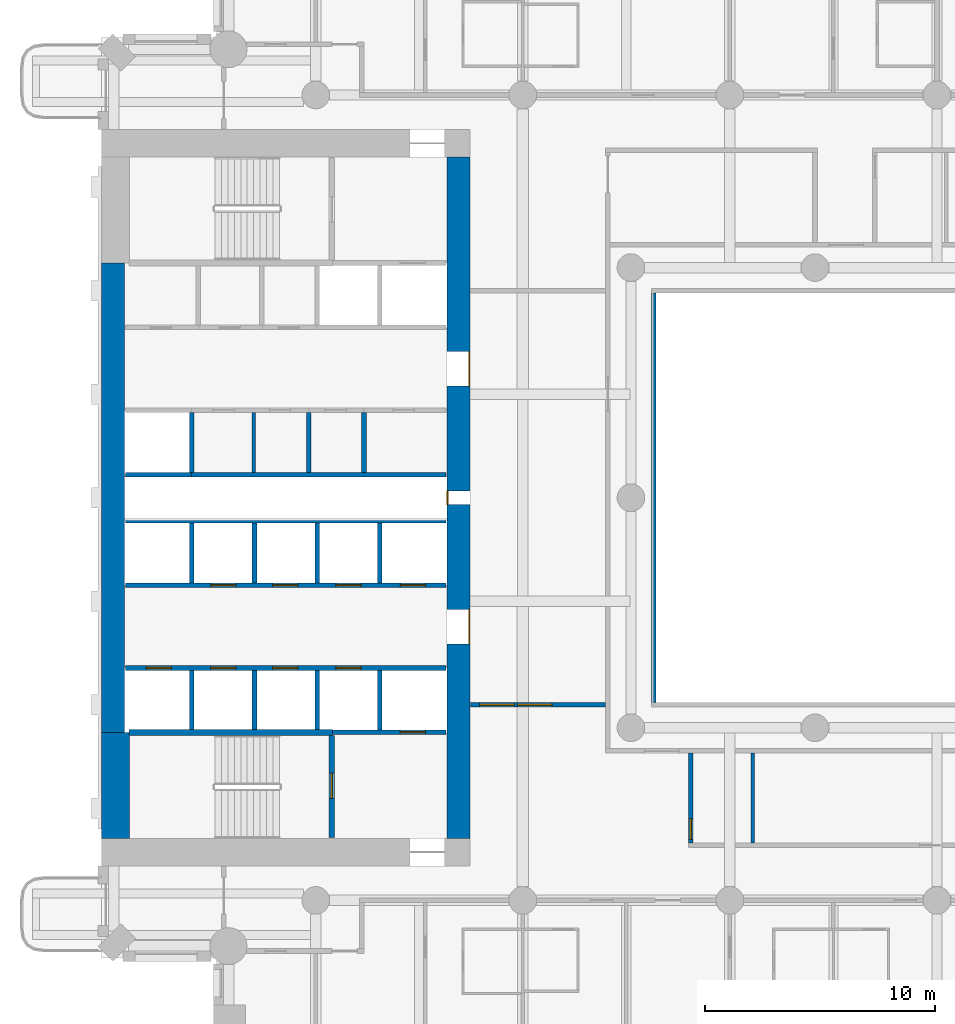
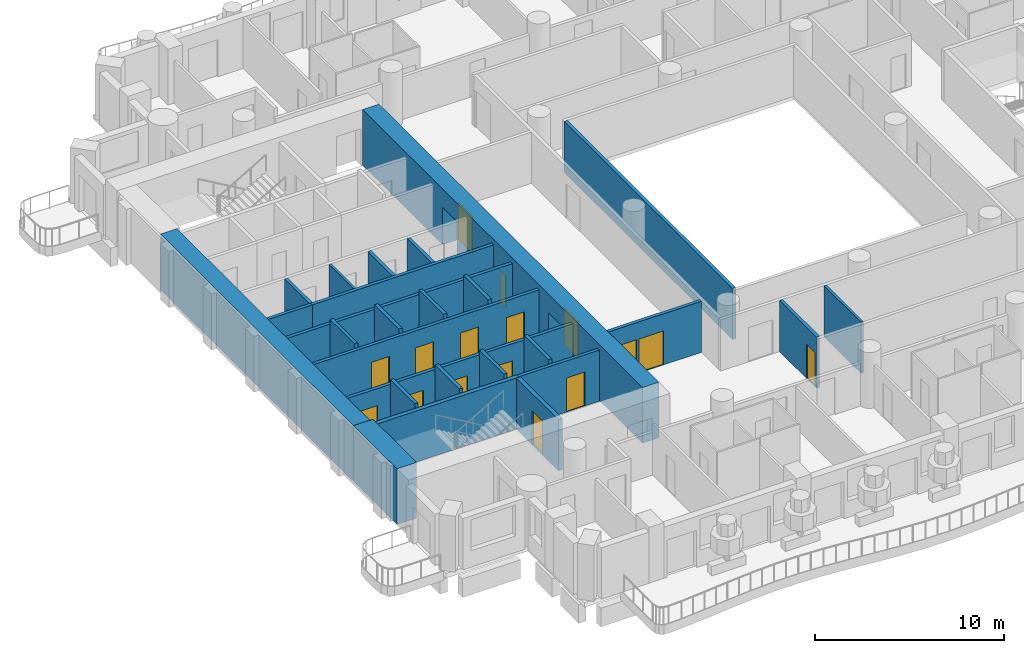
# One storey, part 4 of 20: 27 walls, 16 doors, 16 openings.
"""IFC4 building model written with IfcOpenShell, lengths in metres."""

from ifc_helpers import new_model, si_unit, direction, frame, frame_2d, origin, place, context, subcontext, project, spatial, rectangle, extrude, material, layer, layer_set, type_object, element, fill, save


model = new_model("IFC4")

# Units and contexts
model_context = context("Model", 3, precision=1e-05, world=origin(), true_north=direction((0.0, 1.0)))
body_context = subcontext(model_context, "Body", "Model", "MODEL_VIEW")
ifc_project = project(units=[si_unit("LENGTHUNIT", "METRE"), si_unit("AREAUNIT", "SQUARE_METRE"), si_unit("VOLUMEUNIT", "CUBIC_METRE"), si_unit("PLANEANGLEUNIT", "RADIAN"), si_unit("MASSUNIT", "GRAM", prefix="KILO")], contexts=[model_context])

# Site, building, storey
site_placement = place(None, origin())
site = spatial("IfcSite", under=ifc_project, at=site_placement, CompositionType="ELEMENT")
building_placement = place(site_placement, origin())
building = spatial("IfcBuilding", under=site, at=building_placement, Name="Cypress Arch Tower", CompositionType="ELEMENT")
storey_placement = place(building_placement, frame((0.0, 0.0, 77.10009765625)))
storey = spatial("IfcBuildingStorey", under=building, at=storey_placement, Name="L13", CompositionType="ELEMENT", Elevation=77.10009765625)

# Wall, openings, doors
ifc_material_1 = material(Name="Concrete C80/95", Category="concrete")
ifc_layer_1 = layer(ifc_material_1, 1.0)
ifc_layer_set_1 = layer_set([ifc_layer_1], Name="Core wall CW1000 C80/95")
wall_type_1 = type_object("IfcWallType", Name="Core wall CW1000 C80/95", PredefinedType="SHEAR", material=ifc_layer_set_1)
wall_1_placement = place(storey_placement, frame((-14.5, -14.800048828125, 0.0), z_axis=(0.0, 0.0, 1.0), x_axis=(0.0, 1.0, 0.0)))
wall_1 = element("IfcWall", 1, at=wall_1_placement, inside=storey, type_object=wall_type_1, Name="Core wall", PredefinedType="SHEAR", context=body_context, shape_type="SweptSolid", body=[
    extrude(rectangle(XDim=29.60009765625, YDim=1.0, at=frame_2d((14.800048828125, 0.0))), origin(), (0.0, 0.0, 1.0), 3.599853515625),
])
opening_1_placement = place(wall_1_placement, frame((8.449951171875, 0.0, 0.0)))
opening_1 = element("IfcOpeningElement", 2, at=opening_1_placement, cuts=wall_1, Name="Opening D07", PredefinedType="OPENING", context=body_context, shape_type="SweptSolid", body=[
    extrude(rectangle(XDim=1.5, YDim=2.39990234375, at=frame_2d((0.75, 1.199951171875))), frame((0.0, 0.510009765625, 0.0), z_axis=(0.0, -1.0, 0.0), x_axis=(1.0, 0.0, 0.0)), (0.0, 0.0, 1.0), 1.02001953125),
])
opening_2_placement = place(wall_1_placement, frame((19.64990234375, 0.0, 0.0)))
opening_2 = element("IfcOpeningElement", 3, at=opening_2_placement, cuts=wall_1, Name="Opening D07", PredefinedType="OPENING", context=body_context, shape_type="SweptSolid", body=[
    extrude(rectangle(XDim=1.5, YDim=2.39990234375, at=frame_2d((0.75, 1.199951171875))), frame((0.0, 0.510009765625, 0.0), z_axis=(0.0, -1.0, 0.0), x_axis=(1.0, 0.0, 0.0)), (0.0, 0.0, 1.0), 1.02001953125),
])
opening_3_placement = place(wall_1_placement, frame((14.5, 0.0, 0.0)))
opening_3 = element("IfcOpeningElement", 4, at=opening_3_placement, cuts=wall_1, Name="Opening D08", PredefinedType="OPENING", context=body_context, shape_type="SweptSolid", body=[
    extrude(rectangle(XDim=0.60009765625, YDim=2.0, at=frame_2d((0.300048828125, 1.0))), frame((0.0, 0.510009765625, 0.0), z_axis=(0.0, -1.0, 0.0), x_axis=(1.0, 0.0, 0.0)), (0.0, 0.0, 1.0), 1.02001953125),
])
ifc_material_2 = material(Name="Steel framed glazed door, fire resisting", Category="steel")
door_type_1 = type_object("IfcDoorType", Name="Lobby door D07 1500x2400", OperationType="DOUBLE_DOOR_SINGLE_SWING", PredefinedType="DOOR", material=ifc_material_2)
door_1_placement = place(opening_1_placement, origin())
door_1 = element("IfcDoor", 5, at=door_1_placement, inside=storey, type_object=door_type_1, Name="Lobby door", OperationType="DOUBLE_DOOR_SINGLE_SWING", OverallHeight=2.39990234375, OverallWidth=1.5, PredefinedType="DOOR", context=body_context, shape_type="SweptSolid", body=[
    extrude(rectangle(XDim=1.5, YDim=2.39990234375, at=frame_2d((0.75, 1.199951171875))), frame((0.0, -0.44482421875, 0.0), z_axis=(0.0, -1.0, 0.0), x_axis=(1.0, 0.0, 0.0)), (0.0, 0.0, 1.0), 0.050048828125),
])
fill(opening_1, door_1)
door_2_placement = place(opening_2_placement, origin())
door_2 = element("IfcDoor", 6, at=door_2_placement, inside=storey, type_object=door_type_1, Name="Lobby door", OperationType="DOUBLE_DOOR_SINGLE_SWING", OverallHeight=2.39990234375, OverallWidth=1.5, PredefinedType="DOOR", context=body_context, shape_type="SweptSolid", body=[
    extrude(rectangle(XDim=1.5, YDim=2.39990234375, at=frame_2d((0.75, 1.199951171875))), frame((0.0, -0.44482421875, 0.0), z_axis=(0.0, -1.0, 0.0), x_axis=(1.0, 0.0, 0.0)), (0.0, 0.0, 1.0), 0.050048828125),
])
fill(opening_2, door_2)
ifc_material_3 = material(Name="Steel access door, fire resisting", Category="steel")
door_type_2 = type_object("IfcDoorType", Name="Riser access door D08 600x2000", OperationType="SINGLE_SWING_LEFT", PredefinedType="DOOR", material=ifc_material_3)
door_3_placement = place(opening_3_placement, origin())
door_3 = element("IfcDoor", 7, at=door_3_placement, inside=storey, type_object=door_type_2, Name="Riser access door", OperationType="SINGLE_SWING_RIGHT", OverallHeight=2.0, OverallWidth=0.60009765625, PredefinedType="DOOR", context=body_context, shape_type="SweptSolid", body=[
    extrude(rectangle(XDim=0.60009765625, YDim=2.0, at=frame_2d((0.300048828125, 1.0))), frame((0.0, 0.4951171875, 0.0), z_axis=(0.0, -1.0, 0.0), x_axis=(1.0, 0.0, 0.0)), (0.0, 0.0, 1.0), 0.050048828125),
])
fill(opening_3, door_3)

# Walls
wall_2_placement = place(storey_placement, frame((-29.5, -10.199951171875, 0.0), z_axis=(0.0, 0.0, 1.0), x_axis=(0.0, 1.0, 0.0)))
element("IfcWall", 8, at=wall_2_placement, inside=storey, type_object=wall_type_1, Name="Core wall", PredefinedType="SHEAR", context=body_context, shape_type="SweptSolid", body=[
    extrude(rectangle(XDim=20.39990234375, YDim=1.0, at=frame_2d((10.199951171875, 0.0))), origin(), (0.0, 0.0, 1.0), 3.599853515625),
])
ifc_material_4 = material(Name="Concrete C80/95", Category="concrete")
ifc_layer_2 = layer(ifc_material_4, 1.199951171875)
ifc_layer_set_2 = layer_set([ifc_layer_2], Name="Core wall CW1200 C80/95")
wall_type_2 = type_object("IfcWallType", Name="Core wall CW1200 C80/95", PredefinedType="SHEAR", material=ifc_layer_set_2)
wall_3_placement = place(storey_placement, frame((-29.39990234375, -14.800048828125, 0.0), z_axis=(0.0, 0.0, 1.0), x_axis=(0.0, 1.0, 0.0)))
element("IfcWall", 9, at=wall_3_placement, inside=storey, type_object=wall_type_2, Name="Core wall", PredefinedType="SHEAR", context=body_context, shape_type="SweptSolid", body=[
    extrude(rectangle(XDim=4.60009765625, YDim=1.199951171875, at=frame_2d((2.300048828125, 0.0))), origin(), (0.0, 0.0, 1.0), 3.599853515625),
])

# Wall, openings, doors
ifc_material_5 = material(Name="Concrete blockwork, plastered, rated", Category="masonry")
ifc_layer_3 = layer(ifc_material_5, 0.199951171875)
ifc_layer_set_3 = layer_set([ifc_layer_3], Name="Corridor wall FW200")
wall_type_3 = type_object("IfcWallType", Name="Corridor wall FW200", PredefinedType="PARTITIONING", material=ifc_layer_set_3)
wall_4_placement = place(storey_placement, frame((-13.969970703125, -9.0, 0.0), z_axis=(0.0, 0.0, 1.0), x_axis=(1.0, 0.0, 0.0)))
wall_4 = element("IfcWall", 10, at=wall_4_placement, inside=storey, type_object=wall_type_3, Name="Corridor wall", PredefinedType="PARTITIONING", context=body_context, shape_type="SweptSolid", body=[
    extrude(rectangle(XDim=5.869873046875, YDim=0.199951171875, at=frame_2d((2.93505859375, 0.0))), origin(), (0.0, 0.0, 1.0), 3.2998046875),
])
opening_4_placement = place(wall_4_placement, frame((0.39990234375, 0.0, 0.0)))
opening_4 = element("IfcOpeningElement", 11, at=opening_4_placement, cuts=wall_4, Name="Opening D04", PredefinedType="OPENING", context=body_context, shape_type="SweptSolid", body=[
    extrude(rectangle(XDim=1.5, YDim=2.199951171875, at=frame_2d((0.75, 1.10009765625))), frame((0.0, 0.10986328125, 0.0), z_axis=(0.0, -1.0, 0.0), x_axis=(1.0, 0.0, 0.0)), (0.0, 0.0, 1.0), 0.219970703125),
])
opening_5_placement = place(wall_4_placement, frame((2.050048828125, 0.0, 0.0)))
opening_5 = element("IfcOpeningElement", 12, at=opening_5_placement, cuts=wall_4, Name="Opening D04", PredefinedType="OPENING", context=body_context, shape_type="SweptSolid", body=[
    extrude(rectangle(XDim=1.5, YDim=2.199951171875, at=frame_2d((0.75, 1.10009765625))), frame((0.0, 0.10986328125, 0.0), z_axis=(0.0, -1.0, 0.0), x_axis=(1.0, 0.0, 0.0)), (0.0, 0.0, 1.0), 0.219970703125),
])
ifc_material_6 = material(Name="Timber double door", Category="wood")
door_type_3 = type_object("IfcDoorType", Name="Double door D04 1500x2200", OperationType="DOUBLE_DOOR_SINGLE_SWING", PredefinedType="DOOR", material=ifc_material_6)
door_4_placement = place(opening_4_placement, origin())
door_4 = element("IfcDoor", 13, at=door_4_placement, inside=storey, type_object=door_type_3, Name="Double door", OperationType="DOUBLE_DOOR_SINGLE_SWING", OverallHeight=2.199951171875, OverallWidth=1.5, PredefinedType="DOOR", context=body_context, shape_type="SweptSolid", body=[
    extrude(rectangle(XDim=1.5, YDim=2.199951171875, at=frame_2d((0.75, 1.10009765625))), frame((0.0, 0.02490234375, 0.0), z_axis=(0.0, -1.0, 0.0), x_axis=(1.0, 0.0, 0.0)), (0.0, 0.0, 1.0), 0.050048828125),
])
fill(opening_4, door_4)
door_5_placement = place(opening_5_placement, origin())
door_5 = element("IfcDoor", 14, at=door_5_placement, inside=storey, type_object=door_type_3, Name="Double door", OperationType="DOUBLE_DOOR_SINGLE_SWING", OverallHeight=2.199951171875, OverallWidth=1.5, PredefinedType="DOOR", context=body_context, shape_type="SweptSolid", body=[
    extrude(rectangle(XDim=1.5, YDim=2.199951171875, at=frame_2d((0.75, 1.10009765625))), frame((0.0, 0.02490234375, 0.0), z_axis=(0.0, -1.0, 0.0), x_axis=(1.0, 0.0, 0.0)), (0.0, 0.0, 1.0), 0.050048828125),
])
fill(opening_5, door_5)

# Wall
wall_5_placement = place(storey_placement, frame((-6.0, -8.89990234375, 0.0), z_axis=(0.0, 0.0, 1.0), x_axis=(0.0, 1.0, 0.0)))
element("IfcWall", 15, at=wall_5_placement, inside=storey, type_object=wall_type_3, Name="Corridor wall", PredefinedType="PARTITIONING", context=body_context, shape_type="SweptSolid", body=[
    extrude(rectangle(XDim=17.7998046875, YDim=0.199951171875, at=frame_2d((8.89990234375, 0.0))), origin(), (0.0, 0.0, 1.0), 3.2998046875),
])

# Wall, opening, door
wall_6_placement = place(storey_placement, frame((-4.39990234375, -15.0, 0.0), z_axis=(0.0, 0.0, 1.0), x_axis=(0.0, 1.0, 0.0)))
wall_6 = element("IfcWall", 16, at=wall_6_placement, inside=storey, type_object=wall_type_3, Name="Corridor wall", PredefinedType="PARTITIONING", context=body_context, shape_type="SweptSolid", body=[
    extrude(rectangle(XDim=3.89990234375, YDim=0.199951171875, at=frame_2d((1.949951171875, 0.0))), origin(), (0.0, 0.0, 1.0), 3.2998046875),
])
opening_6_placement = place(wall_6_placement, frame((0.14990234375, 0.0, 0.0)))
opening_6 = element("IfcOpeningElement", 17, at=opening_6_placement, cuts=wall_6, Name="Opening D05", PredefinedType="OPENING", context=body_context, shape_type="SweptSolid", body=[
    extrude(rectangle(XDim=0.89990234375, YDim=2.199951171875, at=frame_2d((0.449951171875, 1.10009765625))), frame((0.0, 0.10986328125, 0.0), z_axis=(0.0, -1.0, 0.0), x_axis=(1.0, 0.0, 0.0)), (0.0, 0.0, 1.0), 0.219970703125),
])
ifc_material_7 = material(Name="Timber flush door", Category="wood")
door_type_4 = type_object("IfcDoorType", Name="Service door D05 900x2200", OperationType="SINGLE_SWING_LEFT", PredefinedType="DOOR", material=ifc_material_7)
door_6_placement = place(opening_6_placement, origin())
door_6 = element("IfcDoor", 18, at=door_6_placement, inside=storey, type_object=door_type_4, Name="Service door", OperationType="SINGLE_SWING_RIGHT", OverallHeight=2.199951171875, OverallWidth=0.89990234375, PredefinedType="DOOR", context=body_context, shape_type="SweptSolid", body=[
    extrude(rectangle(XDim=0.89990234375, YDim=2.199951171875, at=frame_2d((0.449951171875, 1.10009765625))), frame((0.0, 0.02490234375, 0.0), z_axis=(0.0, -1.0, 0.0), x_axis=(1.0, 0.0, 0.0)), (0.0, 0.0, 1.0), 0.050048828125),
])
fill(opening_6, door_6)

# Walls
ifc_material_8 = material(Name="Blockwork, plastered both sides", Category="masonry")
ifc_layer_4 = layer(ifc_material_8, 0.14990234375)
ifc_layer_set_4 = layer_set([ifc_layer_4], Name="Partition PW150")
wall_type_4 = type_object("IfcWallType", Name="Partition PW150", PredefinedType="PARTITIONING", material=ifc_layer_set_4)
wall_7_placement = place(storey_placement, frame((-23.39990234375, 1.10009765625, 0.0), z_axis=(0.0, 0.0, 1.0), x_axis=(0.0, 1.0, 0.0)))
element("IfcWall", 19, at=wall_7_placement, inside=storey, type_object=wall_type_4, Name="Partition", PredefinedType="PARTITIONING", context=body_context, shape_type="SweptSolid", body=[
    extrude(rectangle(XDim=2.599853515625, YDim=0.14990234375, at=frame_2d((1.2998046875, 0.0))), origin(), (0.0, 0.0, 1.0), 3.2998046875),
])
wall_8_placement = place(storey_placement, frame((-1.699951171875, -15.0, 0.0), z_axis=(0.0, 0.0, 1.0), x_axis=(0.0, 1.0, 0.0)))
element("IfcWall", 20, at=wall_8_placement, inside=storey, type_object=wall_type_4, Name="Partition", PredefinedType="PARTITIONING", context=body_context, shape_type="SweptSolid", body=[
    extrude(rectangle(XDim=3.89990234375, YDim=0.14990234375, at=frame_2d((1.949951171875, 0.0))), origin(), (0.0, 0.0, 1.0), 3.2998046875),
])
ifc_material_9 = material(Name="Reinforced blockwork, plastered, rated", Category="masonry")
ifc_layer_5 = layer(ifc_material_9, 0.199951171875)
ifc_layer_set_5 = layer_set([ifc_layer_5], Name="Plant and riser wall PL200")
wall_type_5 = type_object("IfcWallType", Name="Plant and riser wall PL200", PredefinedType="PARTITIONING", material=ifc_layer_set_5)
wall_9_placement = place(storey_placement, frame((-26.10009765625, 1.0, 0.0), z_axis=(0.0, 0.0, 1.0), x_axis=(1.0, 0.0, 0.0)))
element("IfcWall", 21, at=wall_9_placement, inside=storey, type_object=wall_type_5, Name="Plant and riser wall", PredefinedType="PARTITIONING", context=body_context, shape_type="SweptSolid", body=[
    extrude(rectangle(XDim=11.070068359375, YDim=0.199951171875, at=frame_2d((5.53515625, 0.0))), origin(), (0.0, 0.0, 1.0), 3.2998046875),
])
for number, where, z_axis, x_axis, name in (
    (22, (-21.0, 1.10009765625, 0.0), (0.0, 0.0, 1.0), (0.0, 1.0, 0.0), "Plant and riser wall"),
    (23, (-18.60009765625, 1.10009765625, 0.0), (0.0, 0.0, 1.0), (0.0, 1.0, 0.0), "Plant and riser wall"),
):
    element("IfcWall", number, at=place(storey_placement, frame(where, z_axis=z_axis, x_axis=x_axis)), inside=storey, type_object=wall_type_5, Name=name, PredefinedType="PARTITIONING", context=body_context, shape_type="SweptSolid", body=[
        extrude(rectangle(XDim=2.599853515625, YDim=0.199951171875, at=frame_2d((1.2998046875, 0.0))), origin(), (0.0, 0.0, 1.0), 3.2998046875),
    ])

# Wall, openings, doors
ifc_material_10 = material(Name="Concrete C50/60", Category="concrete")
ifc_layer_6 = layer(ifc_material_10, 0.199951171875)
ifc_layer_set_6 = layer_set([ifc_layer_6], Name="Shaft wall SH200")
wall_type_6 = type_object("IfcWallType", Name="Shaft wall SH200", PredefinedType="SHEAR", material=ifc_layer_set_6)
wall_10_placement = place(storey_placement, frame((-28.969970703125, -7.39990234375, 0.0), z_axis=(0.0, 0.0, 1.0), x_axis=(1.0, 0.0, 0.0)))
wall_10 = element("IfcWall", 24, at=wall_10_placement, inside=storey, type_object=wall_type_6, Name="Shaft wall", PredefinedType="SHEAR", context=body_context, shape_type="SweptSolid", body=[
    extrude(rectangle(XDim=13.93994140625, YDim=0.199951171875, at=frame_2d((6.969970703125, 0.0))), origin(), (0.0, 0.0, 1.0), 3.2998046875),
])
opening_7_placement = place(wall_10_placement, frame((0.89990234375, 0.0, 0.0)))
opening_7 = element("IfcOpeningElement", 25, at=opening_7_placement, cuts=wall_10, Name="Opening LD-LR1", PredefinedType="OPENING", context=body_context, shape_type="SweptSolid", body=[
    extrude(rectangle(XDim=1.10009765625, YDim=2.199951171875, at=frame_2d((0.550048828125, 1.10009765625))), frame((0.0, 0.10986328125, 0.0), z_axis=(0.0, -1.0, 0.0), x_axis=(1.0, 0.0, 0.0)), (0.0, 0.0, 1.0), 0.219970703125),
])
opening_8_placement = place(wall_10_placement, frame((3.699951171875, 0.0, 0.0)))
opening_8 = element("IfcOpeningElement", 26, at=opening_8_placement, cuts=wall_10, Name="Opening LD-LR2", PredefinedType="OPENING", context=body_context, shape_type="SweptSolid", body=[
    extrude(rectangle(XDim=1.10009765625, YDim=2.199951171875, at=frame_2d((0.550048828125, 1.10009765625))), frame((0.0, 0.10986328125, 0.0), z_axis=(0.0, -1.0, 0.0), x_axis=(1.0, 0.0, 0.0)), (0.0, 0.0, 1.0), 0.219970703125),
])
opening_9_placement = place(wall_10_placement, frame((6.39990234375, 0.0, 0.0)))
opening_9 = element("IfcOpeningElement", 27, at=opening_9_placement, cuts=wall_10, Name="Opening LD-LR3", PredefinedType="OPENING", context=body_context, shape_type="SweptSolid", body=[
    extrude(rectangle(XDim=1.10009765625, YDim=2.199951171875, at=frame_2d((0.550048828125, 1.10009765625))), frame((0.0, 0.10986328125, 0.0), z_axis=(0.0, -1.0, 0.0), x_axis=(1.0, 0.0, 0.0)), (0.0, 0.0, 1.0), 0.219970703125),
])
opening_10_placement = place(wall_10_placement, frame((9.14990234375, 0.0, 0.0)))
opening_10 = element("IfcOpeningElement", 28, at=opening_10_placement, cuts=wall_10, Name="Opening LD-LR4", PredefinedType="OPENING", context=body_context, shape_type="SweptSolid", body=[
    extrude(rectangle(XDim=1.10009765625, YDim=2.199951171875, at=frame_2d((0.550048828125, 1.10009765625))), frame((0.0, 0.10986328125, 0.0), z_axis=(0.0, -1.0, 0.0), x_axis=(1.0, 0.0, 0.0)), (0.0, 0.0, 1.0), 0.219970703125),
])
ifc_material_11 = material(Name="Stainless steel centre-opening landing door, rated", Category="steel")
door_type_5 = type_object("IfcDoorType", Name="Lift landing door LD 1100x2200", OperationType="DOUBLE_DOOR_SLIDING", PredefinedType="DOOR", material=ifc_material_11)
door_7_placement = place(opening_7_placement, origin())
door_7 = element("IfcDoor", 29, at=door_7_placement, inside=storey, type_object=door_type_5, Name="Lift landing doors LR1", OperationType="DOUBLE_DOOR_SLIDING", OverallHeight=2.199951171875, OverallWidth=1.10009765625, PredefinedType="DOOR", context=body_context, shape_type="SweptSolid", body=[
    extrude(rectangle(XDim=1.10009765625, YDim=2.199951171875, at=frame_2d((0.550048828125, 1.10009765625))), frame((0.0, 0.02490234375, 0.0), z_axis=(0.0, -1.0, 0.0), x_axis=(1.0, 0.0, 0.0)), (0.0, 0.0, 1.0), 0.050048828125),
])
fill(opening_7, door_7)
door_8_placement = place(opening_8_placement, origin())
door_8 = element("IfcDoor", 30, at=door_8_placement, inside=storey, type_object=door_type_5, Name="Lift landing doors LR2", OperationType="DOUBLE_DOOR_SLIDING", OverallHeight=2.199951171875, OverallWidth=1.10009765625, PredefinedType="DOOR", context=body_context, shape_type="SweptSolid", body=[
    extrude(rectangle(XDim=1.10009765625, YDim=2.199951171875, at=frame_2d((0.550048828125, 1.10009765625))), frame((0.0, 0.02490234375, 0.0), z_axis=(0.0, -1.0, 0.0), x_axis=(1.0, 0.0, 0.0)), (0.0, 0.0, 1.0), 0.050048828125),
])
fill(opening_8, door_8)
door_9_placement = place(opening_9_placement, origin())
door_9 = element("IfcDoor", 31, at=door_9_placement, inside=storey, type_object=door_type_5, Name="Lift landing doors LR3", OperationType="DOUBLE_DOOR_SLIDING", OverallHeight=2.199951171875, OverallWidth=1.10009765625, PredefinedType="DOOR", context=body_context, shape_type="SweptSolid", body=[
    extrude(rectangle(XDim=1.10009765625, YDim=2.199951171875, at=frame_2d((0.550048828125, 1.10009765625))), frame((0.0, 0.02490234375, 0.0), z_axis=(0.0, -1.0, 0.0), x_axis=(1.0, 0.0, 0.0)), (0.0, 0.0, 1.0), 0.050048828125),
])
fill(opening_9, door_9)
door_10_placement = place(opening_10_placement, origin())
door_10 = element("IfcDoor", 32, at=door_10_placement, inside=storey, type_object=door_type_5, Name="Lift landing doors LR4", OperationType="DOUBLE_DOOR_SLIDING", OverallHeight=2.199951171875, OverallWidth=1.10009765625, PredefinedType="DOOR", context=body_context, shape_type="SweptSolid", body=[
    extrude(rectangle(XDim=1.10009765625, YDim=2.199951171875, at=frame_2d((0.550048828125, 1.10009765625))), frame((0.0, 0.02490234375, 0.0), z_axis=(0.0, -1.0, 0.0), x_axis=(1.0, 0.0, 0.0)), (0.0, 0.0, 1.0), 0.050048828125),
])
fill(opening_10, door_10)

wall_11_placement = place(storey_placement, frame((-28.969970703125, -3.800048828125, 0.0), z_axis=(0.0, 0.0, 1.0), x_axis=(1.0, 0.0, 0.0)))
wall_11 = element("IfcWall", 33, at=wall_11_placement, inside=storey, type_object=wall_type_6, Name="Shaft wall", PredefinedType="SHEAR", context=body_context, shape_type="SweptSolid", body=[
    extrude(rectangle(XDim=13.93994140625, YDim=0.199951171875, at=frame_2d((6.969970703125, 0.0))), origin(), (0.0, 0.0, 1.0), 3.2998046875),
])
opening_11_placement = place(wall_11_placement, frame((3.699951171875, 0.0, 0.0)))
opening_11 = element("IfcOpeningElement", 34, at=opening_11_placement, cuts=wall_11, Name="Opening LD-LR5", PredefinedType="OPENING", context=body_context, shape_type="SweptSolid", body=[
    extrude(rectangle(XDim=1.10009765625, YDim=2.199951171875, at=frame_2d((0.550048828125, 1.10009765625))), frame((0.0, 0.10986328125, 0.0), z_axis=(0.0, -1.0, 0.0), x_axis=(1.0, 0.0, 0.0)), (0.0, 0.0, 1.0), 0.219970703125),
])
opening_12_placement = place(wall_11_placement, frame((6.39990234375, 0.0, 0.0)))
opening_12 = element("IfcOpeningElement", 35, at=opening_12_placement, cuts=wall_11, Name="Opening LD-LR6", PredefinedType="OPENING", context=body_context, shape_type="SweptSolid", body=[
    extrude(rectangle(XDim=1.10009765625, YDim=2.199951171875, at=frame_2d((0.550048828125, 1.10009765625))), frame((0.0, 0.10986328125, 0.0), z_axis=(0.0, -1.0, 0.0), x_axis=(1.0, 0.0, 0.0)), (0.0, 0.0, 1.0), 0.219970703125),
])
opening_13_placement = place(wall_11_placement, frame((9.14990234375, 0.0, 0.0)))
opening_13 = element("IfcOpeningElement", 36, at=opening_13_placement, cuts=wall_11, Name="Opening LD-LR7", PredefinedType="OPENING", context=body_context, shape_type="SweptSolid", body=[
    extrude(rectangle(XDim=1.10009765625, YDim=2.199951171875, at=frame_2d((0.550048828125, 1.10009765625))), frame((0.0, 0.10986328125, 0.0), z_axis=(0.0, -1.0, 0.0), x_axis=(1.0, 0.0, 0.0)), (0.0, 0.0, 1.0), 0.219970703125),
])
opening_14_placement = place(wall_11_placement, frame((11.949951171875, 0.0, 0.0)))
opening_14 = element("IfcOpeningElement", 37, at=opening_14_placement, cuts=wall_11, Name="Opening LD-LR8", PredefinedType="OPENING", context=body_context, shape_type="SweptSolid", body=[
    extrude(rectangle(XDim=1.10009765625, YDim=2.199951171875, at=frame_2d((0.550048828125, 1.10009765625))), frame((0.0, 0.10986328125, 0.0), z_axis=(0.0, -1.0, 0.0), x_axis=(1.0, 0.0, 0.0)), (0.0, 0.0, 1.0), 0.219970703125),
])
door_11_placement = place(opening_11_placement, origin())
door_11 = element("IfcDoor", 38, at=door_11_placement, inside=storey, type_object=door_type_5, Name="Lift landing doors LR5", OperationType="DOUBLE_DOOR_SLIDING", OverallHeight=2.199951171875, OverallWidth=1.10009765625, PredefinedType="DOOR", context=body_context, shape_type="SweptSolid", body=[
    extrude(rectangle(XDim=1.10009765625, YDim=2.199951171875, at=frame_2d((0.550048828125, 1.10009765625))), frame((0.0, 0.02490234375, 0.0), z_axis=(0.0, -1.0, 0.0), x_axis=(1.0, 0.0, 0.0)), (0.0, 0.0, 1.0), 0.050048828125),
])
fill(opening_11, door_11)
door_12_placement = place(opening_12_placement, origin())
door_12 = element("IfcDoor", 39, at=door_12_placement, inside=storey, type_object=door_type_5, Name="Lift landing doors LR6", OperationType="DOUBLE_DOOR_SLIDING", OverallHeight=2.199951171875, OverallWidth=1.10009765625, PredefinedType="DOOR", context=body_context, shape_type="SweptSolid", body=[
    extrude(rectangle(XDim=1.10009765625, YDim=2.199951171875, at=frame_2d((0.550048828125, 1.10009765625))), frame((0.0, 0.02490234375, 0.0), z_axis=(0.0, -1.0, 0.0), x_axis=(1.0, 0.0, 0.0)), (0.0, 0.0, 1.0), 0.050048828125),
])
fill(opening_12, door_12)
door_13_placement = place(opening_13_placement, origin())
door_13 = element("IfcDoor", 40, at=door_13_placement, inside=storey, type_object=door_type_5, Name="Lift landing doors LR7", OperationType="DOUBLE_DOOR_SLIDING", OverallHeight=2.199951171875, OverallWidth=1.10009765625, PredefinedType="DOOR", context=body_context, shape_type="SweptSolid", body=[
    extrude(rectangle(XDim=1.10009765625, YDim=2.199951171875, at=frame_2d((0.550048828125, 1.10009765625))), frame((0.0, 0.02490234375, 0.0), z_axis=(0.0, -1.0, 0.0), x_axis=(1.0, 0.0, 0.0)), (0.0, 0.0, 1.0), 0.050048828125),
])
fill(opening_13, door_13)
door_14_placement = place(opening_14_placement, origin())
door_14 = element("IfcDoor", 41, at=door_14_placement, inside=storey, type_object=door_type_5, Name="Lift landing doors LR8", OperationType="DOUBLE_DOOR_SLIDING", OverallHeight=2.199951171875, OverallWidth=1.10009765625, PredefinedType="DOOR", context=body_context, shape_type="SweptSolid", body=[
    extrude(rectangle(XDim=1.10009765625, YDim=2.199951171875, at=frame_2d((0.550048828125, 1.10009765625))), frame((0.0, 0.02490234375, 0.0), z_axis=(0.0, -1.0, 0.0), x_axis=(1.0, 0.0, 0.0)), (0.0, 0.0, 1.0), 0.050048828125),
])
fill(opening_14, door_14)

# Walls
wall_12_placement = place(storey_placement, frame((-28.969970703125, -1.0, 0.0), z_axis=(0.0, 0.0, 1.0), x_axis=(1.0, 0.0, 0.0)))
element("IfcWall", 42, at=wall_12_placement, inside=storey, type_object=wall_type_6, Name="Shaft wall", PredefinedType="SHEAR", context=body_context, shape_type="SweptSolid", body=[
    extrude(rectangle(XDim=13.93994140625, YDim=0.199951171875, at=frame_2d((6.969970703125, 0.0))), origin(), (0.0, 0.0, 1.0), 3.2998046875),
])
wall_13_placement = place(storey_placement, frame((-28.969970703125, 1.0, 0.0), z_axis=(0.0, 0.0, 1.0), x_axis=(1.0, 0.0, 0.0)))
element("IfcWall", 43, at=wall_13_placement, inside=storey, type_object=wall_type_6, Name="Shaft wall", PredefinedType="SHEAR", context=body_context, shape_type="SweptSolid", body=[
    extrude(rectangle(XDim=2.869873046875, YDim=0.199951171875, at=frame_2d((1.43505859375, 0.0))), origin(), (0.0, 0.0, 1.0), 3.2998046875),
])
wall_14_placement = place(storey_placement, frame((-26.080078125, -10.074951171875, 0.0), z_axis=(0.0, 0.0, 1.0), x_axis=(0.0, 1.0, 0.0)))
element("IfcWall", 44, at=wall_14_placement, inside=storey, type_object=wall_type_6, Name="Shaft wall", PredefinedType="SHEAR", context=body_context, shape_type="SweptSolid", body=[
    extrude(rectangle(XDim=2.574951171875, YDim=0.199951171875, at=frame_2d((1.28759765625, 0.0))), origin(), (0.0, 0.0, 1.0), 3.599853515625),
])
wall_15_placement = place(storey_placement, frame((-26.080078125, -3.699951171875, 0.0), z_axis=(0.0, 0.0, 1.0), x_axis=(0.0, 1.0, 0.0)))
element("IfcWall", 45, at=wall_15_placement, inside=storey, type_object=wall_type_6, Name="Shaft wall", PredefinedType="SHEAR", context=body_context, shape_type="SweptSolid", body=[
    extrude(rectangle(XDim=2.599853515625, YDim=0.199951171875, at=frame_2d((1.2998046875, 0.0))), origin(), (0.0, 0.0, 1.0), 3.599853515625),
])
wall_16_placement = place(storey_placement, frame((-26.080078125, 1.10009765625, 0.0), z_axis=(0.0, 0.0, 1.0), x_axis=(0.0, 1.0, 0.0)))
element("IfcWall", 46, at=wall_16_placement, inside=storey, type_object=wall_type_6, Name="Shaft wall", PredefinedType="SHEAR", context=body_context, shape_type="SweptSolid", body=[
    extrude(rectangle(XDim=2.599853515625, YDim=0.199951171875, at=frame_2d((1.2998046875, 0.0))), origin(), (0.0, 0.0, 1.0), 3.2998046875),
])
wall_17_placement = place(storey_placement, frame((-23.360107421875, -10.074951171875, 0.0), z_axis=(0.0, 0.0, 1.0), x_axis=(0.0, 1.0, 0.0)))
element("IfcWall", 47, at=wall_17_placement, inside=storey, type_object=wall_type_6, Name="Shaft wall", PredefinedType="SHEAR", context=body_context, shape_type="SweptSolid", body=[
    extrude(rectangle(XDim=2.574951171875, YDim=0.199951171875, at=frame_2d((1.28759765625, 0.0))), origin(), (0.0, 0.0, 1.0), 3.599853515625),
])
wall_18_placement = place(storey_placement, frame((-23.360107421875, -3.699951171875, 0.0), z_axis=(0.0, 0.0, 1.0), x_axis=(0.0, 1.0, 0.0)))
element("IfcWall", 48, at=wall_18_placement, inside=storey, type_object=wall_type_6, Name="Shaft wall", PredefinedType="SHEAR", context=body_context, shape_type="SweptSolid", body=[
    extrude(rectangle(XDim=2.599853515625, YDim=0.199951171875, at=frame_2d((1.2998046875, 0.0))), origin(), (0.0, 0.0, 1.0), 3.599853515625),
])
wall_19_placement = place(storey_placement, frame((-20.639892578125, -10.074951171875, 0.0), z_axis=(0.0, 0.0, 1.0), x_axis=(0.0, 1.0, 0.0)))
element("IfcWall", 49, at=wall_19_placement, inside=storey, type_object=wall_type_6, Name="Shaft wall", PredefinedType="SHEAR", context=body_context, shape_type="SweptSolid", body=[
    extrude(rectangle(XDim=2.574951171875, YDim=0.199951171875, at=frame_2d((1.28759765625, 0.0))), origin(), (0.0, 0.0, 1.0), 3.599853515625),
])
wall_20_placement = place(storey_placement, frame((-20.639892578125, -3.699951171875, 0.0), z_axis=(0.0, 0.0, 1.0), x_axis=(0.0, 1.0, 0.0)))
element("IfcWall", 50, at=wall_20_placement, inside=storey, type_object=wall_type_6, Name="Shaft wall", PredefinedType="SHEAR", context=body_context, shape_type="SweptSolid", body=[
    extrude(rectangle(XDim=2.599853515625, YDim=0.199951171875, at=frame_2d((1.2998046875, 0.0))), origin(), (0.0, 0.0, 1.0), 3.599853515625),
])

# Wall, opening, door
wall_21_placement = place(storey_placement, frame((-19.97998046875, -10.199951171875, 0.0), z_axis=(0.0, 0.0, 1.0), x_axis=(1.0, 0.0, 0.0)))
wall_21 = element("IfcWall", 51, at=wall_21_placement, inside=storey, type_object=wall_type_6, Name="Shaft wall", PredefinedType="SHEAR", context=body_context, shape_type="SweptSolid", body=[
    extrude(rectangle(XDim=4.949951171875, YDim=0.199951171875, at=frame_2d((2.47509765625, 0.0))), origin(), (0.0, 0.0, 1.0), 3.2998046875),
])
opening_15_placement = place(wall_21_placement, frame((2.949951171875, 0.0, 0.0)))
opening_15 = element("IfcOpeningElement", 52, at=opening_15_placement, cuts=wall_21, Name="Opening LD-FL1", PredefinedType="OPENING", context=body_context, shape_type="SweptSolid", body=[
    extrude(rectangle(XDim=1.10009765625, YDim=2.199951171875, at=frame_2d((0.550048828125, 1.10009765625))), frame((0.0, 0.10986328125, 0.0), z_axis=(0.0, -1.0, 0.0), x_axis=(1.0, 0.0, 0.0)), (0.0, 0.0, 1.0), 0.219970703125),
])
door_15_placement = place(opening_15_placement, origin())
door_15 = element("IfcDoor", 53, at=door_15_placement, inside=storey, type_object=door_type_5, Name="Lift landing doors FL1", OperationType="DOUBLE_DOOR_SLIDING", OverallHeight=2.199951171875, OverallWidth=1.10009765625, PredefinedType="DOOR", context=body_context, shape_type="SweptSolid", body=[
    extrude(rectangle(XDim=1.10009765625, YDim=2.199951171875, at=frame_2d((0.550048828125, 1.10009765625))), frame((0.0, 0.02490234375, 0.0), z_axis=(0.0, -1.0, 0.0), x_axis=(1.0, 0.0, 0.0)), (0.0, 0.0, 1.0), 0.050048828125),
])
fill(opening_15, door_15)

# Walls
wall_22_placement = place(storey_placement, frame((-17.919921875, -10.10009765625, 0.0), z_axis=(0.0, 0.0, 1.0), x_axis=(0.0, 1.0, 0.0)))
element("IfcWall", 54, at=wall_22_placement, inside=storey, type_object=wall_type_6, Name="Shaft wall", PredefinedType="SHEAR", context=body_context, shape_type="SweptSolid", body=[
    extrude(rectangle(XDim=2.60009765625, YDim=0.199951171875, at=frame_2d((1.300048828125, 0.0))), origin(), (0.0, 0.0, 1.0), 3.599853515625),
])
wall_23_placement = place(storey_placement, frame((-17.919921875, -3.699951171875, 0.0), z_axis=(0.0, 0.0, 1.0), x_axis=(0.0, 1.0, 0.0)))
element("IfcWall", 55, at=wall_23_placement, inside=storey, type_object=wall_type_6, Name="Shaft wall", PredefinedType="SHEAR", context=body_context, shape_type="SweptSolid", body=[
    extrude(rectangle(XDim=2.599853515625, YDim=0.199951171875, at=frame_2d((1.2998046875, 0.0))), origin(), (0.0, 0.0, 1.0), 3.599853515625),
])
ifc_material_12 = material(Name="Concrete C50/60", Category="concrete")
ifc_layer_7 = layer(ifc_material_12, 0.25)
ifc_layer_set_7 = layer_set([ifc_layer_7], Name="Stair enclosure wall SW250")
wall_type_7 = type_object("IfcWallType", Name="Stair enclosure wall SW250", PredefinedType="SHEAR", material=ifc_layer_set_7)
wall_24_placement = place(storey_placement, frame((-28.81005859375, -10.199951171875, 0.0), z_axis=(0.0, 0.0, 1.0), x_axis=(1.0, 0.0, 0.0)))
element("IfcWall", 56, at=wall_24_placement, inside=storey, type_object=wall_type_7, Name="Stair enclosure wall", PredefinedType="SHEAR", context=body_context, shape_type="SweptSolid", body=[
    extrude(rectangle(XDim=8.830078125, YDim=0.25, at=frame_2d((4.4150390625, 0.0))), origin(), (0.0, 0.0, 1.0), 3.2998046875),
])

# Wall, opening, door
wall_25_placement = place(storey_placement, frame((-20.0, -14.77001953125, 0.0), z_axis=(0.0, 0.0, 1.0), x_axis=(0.0, 1.0, 0.0)))
wall_25 = element("IfcWall", 57, at=wall_25_placement, inside=storey, type_object=wall_type_7, Name="Stair enclosure wall", PredefinedType="SHEAR", context=body_context, shape_type="SweptSolid", body=[
    extrude(rectangle(XDim=4.445068359375, YDim=0.25, at=frame_2d((2.22265625, 0.0))), origin(), (0.0, 0.0, 1.0), 3.2998046875),
])
opening_16_placement = place(wall_25_placement, frame((1.699951171875, 0.0, 0.0)))
opening_16 = element("IfcOpeningElement", 58, at=opening_16_placement, cuts=wall_25, Name="Opening D06", PredefinedType="OPENING", context=body_context, shape_type="SweptSolid", body=[
    extrude(rectangle(XDim=1.10009765625, YDim=2.199951171875, at=frame_2d((0.550048828125, 1.10009765625))), frame((0.0, 0.135009765625, 0.0), z_axis=(0.0, -1.0, 0.0), x_axis=(1.0, 0.0, 0.0)), (0.0, 0.0, 1.0), 0.27001953125),
])
ifc_material_13 = material(Name="Steel door, fire resisting, panic bar", Category="steel")
door_type_6 = type_object("IfcDoorType", Name="Stair door D06 1100x2200", OperationType="SINGLE_SWING_LEFT", PredefinedType="DOOR", material=ifc_material_13)
door_16_placement = place(opening_16_placement, origin())
door_16 = element("IfcDoor", 59, at=door_16_placement, inside=storey, type_object=door_type_6, Name="Stair door", OperationType="SINGLE_SWING_RIGHT", OverallHeight=2.199951171875, OverallWidth=1.10009765625, PredefinedType="DOOR", context=body_context, shape_type="SweptSolid", body=[
    extrude(rectangle(XDim=1.10009765625, YDim=2.199951171875, at=frame_2d((0.550048828125, 1.10009765625))), frame((0.0, 0.02490234375, 0.0), z_axis=(0.0, -1.0, 0.0), x_axis=(1.0, 0.0, 0.0)), (0.0, 0.0, 1.0), 0.050048828125),
])
fill(opening_16, door_16)

save(model, "model.ifc")
